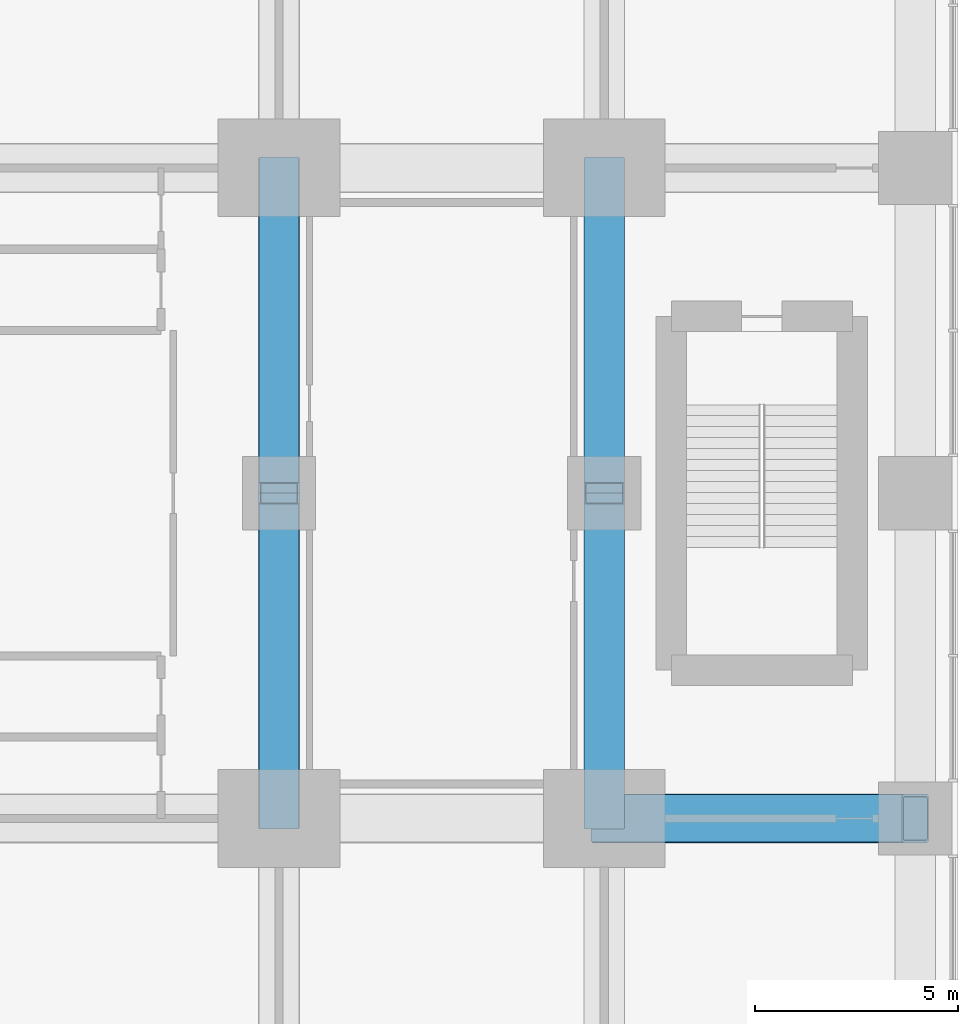
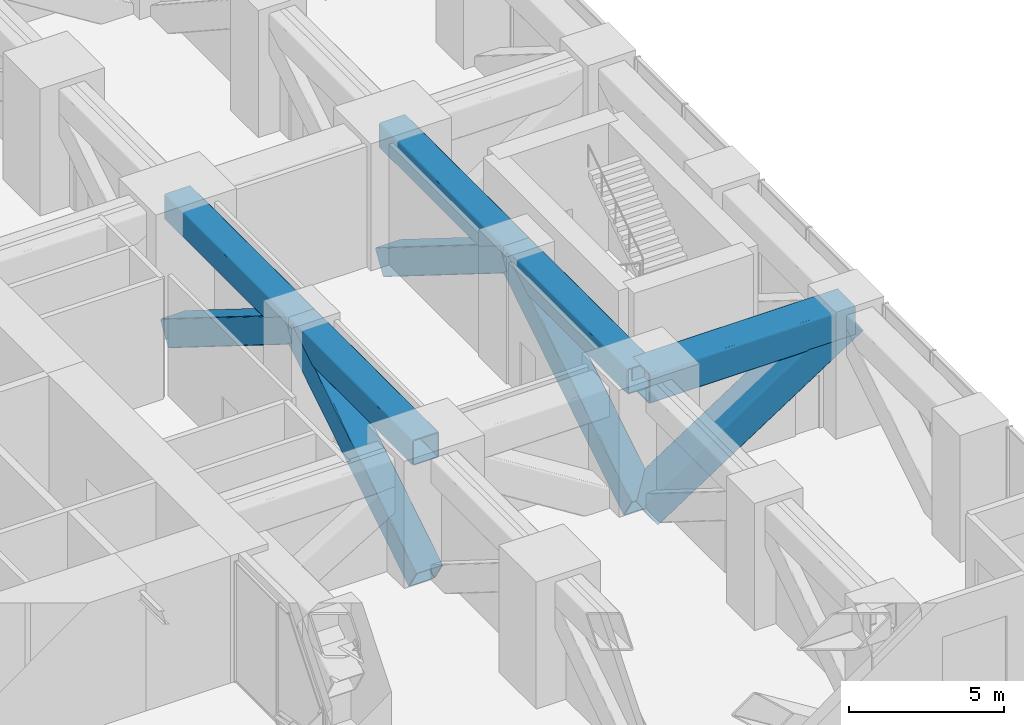
# One storey, part 6 of 19: 10 members.
"""IFC4 building model written with IfcOpenShell, lengths in metres."""

from ifc_helpers import new_model, si_unit, direction, frame, origin, origin_2d, place, context, subcontext, project, spatial, hollow_rectangle, extrude, material, material_profile, profile_set, type_object, element, save


model = new_model("IFC4")

# Units and contexts
model_context = context("Model", 3, precision=1e-05, world=origin(), true_north=direction((0.0, 1.0)))
body_context = subcontext(model_context, "Body", "Model", "MODEL_VIEW")
ifc_project = project(units=[si_unit("LENGTHUNIT", "METRE"), si_unit("AREAUNIT", "SQUARE_METRE"), si_unit("VOLUMEUNIT", "CUBIC_METRE"), si_unit("PLANEANGLEUNIT", "RADIAN"), si_unit("MASSUNIT", "GRAM", prefix="KILO")], contexts=[model_context])

# Site, building, storey
site_placement = place(None, origin())
site = spatial("IfcSite", under=ifc_project, at=site_placement, CompositionType="ELEMENT")
building_placement = place(site_placement, origin())
building = spatial("IfcBuilding", under=site, at=building_placement, Name="Cleftline Residences", CompositionType="ELEMENT")
storey_placement = place(building_placement, frame((0.0, 0.0, 177.199951171875)))
storey = spatial("IfcBuildingStorey", under=building, at=storey_placement, Name="L46", CompositionType="ELEMENT", Elevation=177.199951171875)

# Members
ifc_material_1 = material(Name="Steel S355", Category="steel")
ifc_material_profile_1 = material_profile(ifc_material_1, hollow_rectangle(XDim=1.0, YDim=1.0, WallThickness=0.0400390625, InnerFilletRadius=0.0400390625, OuterFilletRadius=0.06005859375, at=origin_2d()))
ifc_profile_set_1 = profile_set([ifc_material_profile_1], Name="Steel S355")
member_type_1 = type_object("IfcMemberType", Name="BRACE BOX 1000X1000X40", PredefinedType="BRACE", material=ifc_profile_set_1)
for number, where, z_axis, x_axis, name in (
    (1, (50.0, 16.0, -0.75), (0.0, 0.847998304005, 0.529998940003), (0.0, -0.529998940003, 0.847998304005), "Belt truss diagonal"),
    (2, (50.0, 24.0, 4.25), (0.0, 0.847998304005, -0.529998940003), (0.0, 0.529998940003, 0.847998304005), "Belt truss diagonal"),
    (3, (58.0, 16.0, -0.75), (0.0, 0.847998304005, 0.529998940003), (0.0, -0.529998940003, 0.847998304005), "Belt truss diagonal"),
    (4, (58.0, 24.0, 4.25), (0.0, 0.847998304005, -0.529998940003), (0.0, 0.529998940003, 0.847998304005), "Belt truss diagonal"),
):
    element("IfcMember", number, at=place(storey_placement, frame(where, z_axis=z_axis, x_axis=x_axis)), inside=storey, type_object=member_type_1, Name=name, PredefinedType="BRACE", context=body_context, shape_type="SweptSolid", body=[
        extrude(hollow_rectangle(XDim=1.0, YDim=1.0, WallThickness=0.0400390625, InnerFilletRadius=0.0400390625, OuterFilletRadius=0.06005859375, at=origin_2d()), origin(), (0.0, 0.0, 1.0), 9.43408203125),
    ])
ifc_material_2 = material(Name="Steel S355", Category="steel")
ifc_material_profile_2 = material_profile(ifc_material_2, hollow_rectangle(XDim=1.199951171875, YDim=1.199951171875, WallThickness=0.06005859375, InnerFilletRadius=0.06005859375, OuterFilletRadius=0.090087890625, at=origin_2d()))
ifc_profile_set_2 = profile_set([ifc_material_profile_2], Name="Steel S355")
member_type_2 = type_object("IfcMemberType", Name="BRACE BOX 1200X1200X60", PredefinedType="BRACE", material=ifc_profile_set_2)
member_1_placement = place(storey_placement, frame((58.0, 16.0, -0.849853515625), z_axis=(0.837062783189, 0.0, 0.547106842399), x_axis=(-0.547106842399, 0.0, 0.837062783189)))
element("IfcMember", 5, at=member_1_placement, inside=storey, type_object=member_type_2, Name="Outrigger truss diagonal", PredefinedType="BRACE", context=body_context, shape_type="SweptSolid", body=[
    extrude(hollow_rectangle(XDim=1.199951171875, YDim=1.199951171875, WallThickness=0.06005859375, InnerFilletRadius=0.06005859375, OuterFilletRadius=0.090087890625, at=origin_2d()), origin(), (0.0, 0.0, 1.0), 9.138916015625),
])
ifc_material_3 = material(Name="Steel S355", Category="steel")
ifc_material_profile_3 = material_profile(ifc_material_3, hollow_rectangle(XDim=1.0, YDim=1.0, WallThickness=0.0400390625, InnerFilletRadius=0.0400390625, OuterFilletRadius=0.06005859375, at=origin_2d()))
ifc_profile_set_3 = profile_set([ifc_material_profile_3], Name="Steel S355")
member_type_3 = type_object("IfcMemberType", Name="CHORD BOX 1000X1000X40", PredefinedType="CHORD", material=ifc_profile_set_3)
for number, where, z_axis, x_axis, name in (
    (6, (50.0, 16.0, 4.25), (0.0, 1.0, 0.0), (-1.0, 0.0, 0.0), "Belt truss top chord"),
    (7, (50.0, 24.0, 4.25), (0.0, 1.0, 0.0), (-1.0, 0.0, 0.0), "Belt truss top chord"),
    (8, (58.0, 16.0, 4.25), (0.0, 1.0, 0.0), (-1.0, 0.0, 0.0), "Belt truss top chord"),
    (9, (58.0, 24.0, 4.25), (0.0, 1.0, 0.0), (-1.0, 0.0, 0.0), "Belt truss top chord"),
):
    element("IfcMember", number, at=place(storey_placement, frame(where, z_axis=z_axis, x_axis=x_axis)), inside=storey, type_object=member_type_3, Name=name, PredefinedType="CHORD", context=body_context, shape_type="SweptSolid", body=[
        extrude(hollow_rectangle(XDim=1.0, YDim=1.0, WallThickness=0.0400390625, InnerFilletRadius=0.0400390625, OuterFilletRadius=0.06005859375, at=origin_2d()), origin(), (0.0, 0.0, 1.0), 8.0),
    ])
ifc_material_4 = material(Name="Steel S355", Category="steel")
ifc_material_profile_4 = material_profile(ifc_material_4, hollow_rectangle(XDim=1.199951171875, YDim=1.199951171875, WallThickness=0.06005859375, InnerFilletRadius=0.06005859375, OuterFilletRadius=0.090087890625, at=origin_2d()))
ifc_profile_set_4 = profile_set([ifc_material_profile_4], Name="Steel S355")
member_type_4 = type_object("IfcMemberType", Name="CHORD BOX 1200X1200X60", PredefinedType="CHORD", material=ifc_profile_set_4)
member_2_placement = place(storey_placement, frame((58.0, 16.0, 4.150146484375), z_axis=(1.0, 0.0, 0.0), x_axis=(0.0, 1.0, 0.0)))
element("IfcMember", 10, at=member_2_placement, inside=storey, type_object=member_type_4, Name="Outrigger truss top chord", PredefinedType="CHORD", context=body_context, shape_type="SweptSolid", body=[
    extrude(hollow_rectangle(XDim=1.199951171875, YDim=1.199951171875, WallThickness=0.06005859375, InnerFilletRadius=0.06005859375, OuterFilletRadius=0.090087890625, at=origin_2d()), origin(), (0.0, 0.0, 1.0), 7.64990234375),
])

save(model, "model.ifc")
